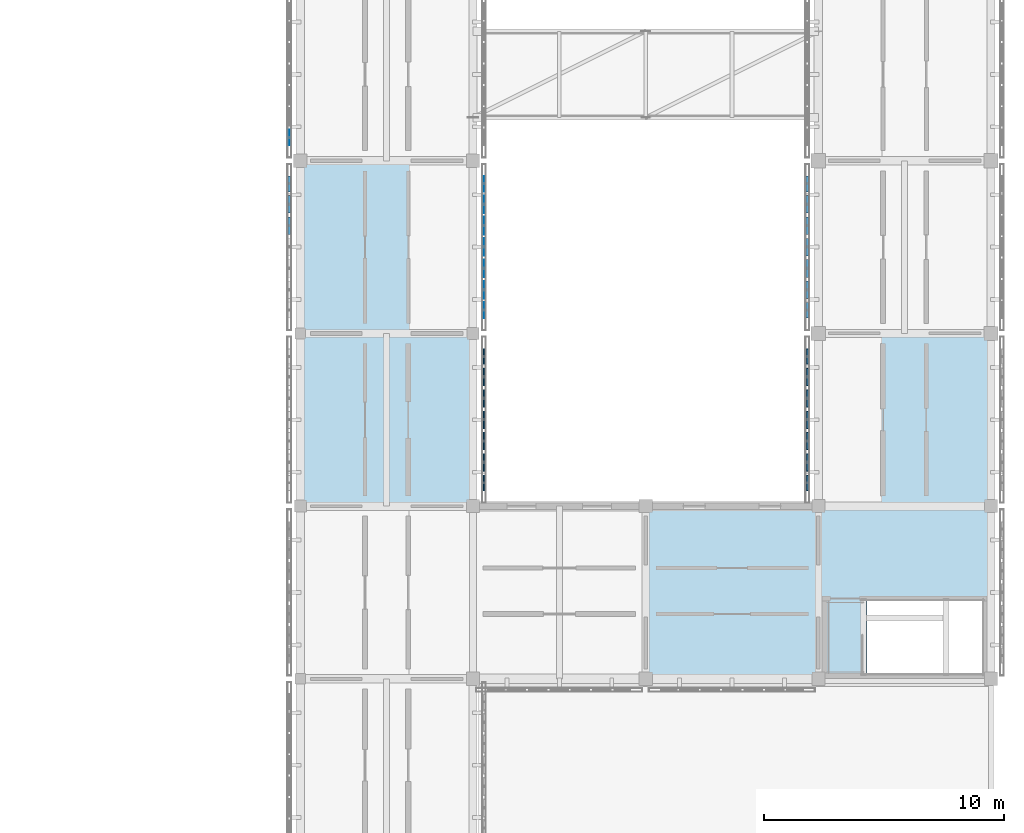
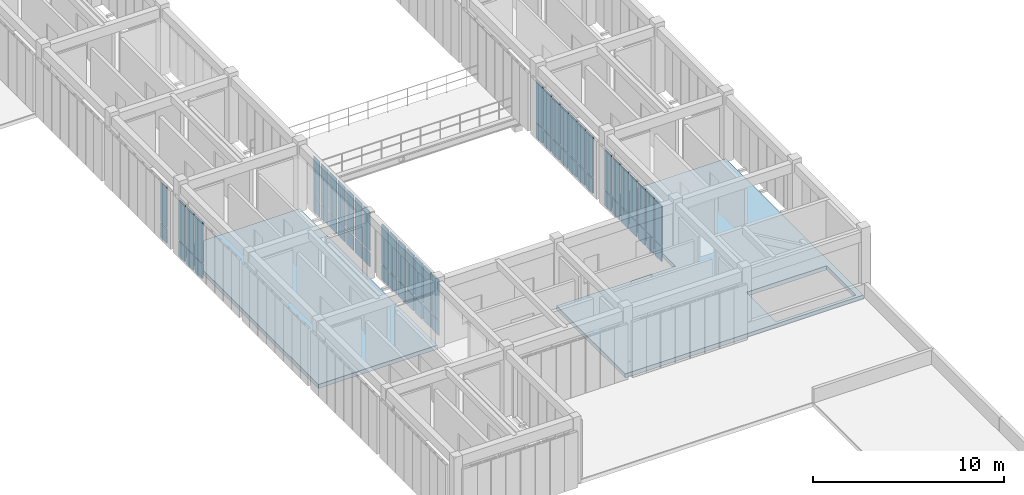
# One storey, part 57 of 91: 64 plates, 2 slabs, 6 elements without a shape of their own.
"""IFC4 building model written with IfcOpenShell, lengths in metres."""

from ifc_helpers import new_model, si_unit, direction, frame, origin, origin_2d, place, context, subcontext, project, spatial, polyline, rectangle, outline, extrude, material, layer, layer_set, type_object, element, aggregate, save


model = new_model("IFC4")

# Units and contexts
model_context = context("Model", 3, precision=1e-05, world=origin(), true_north=direction((0.0, 1.0)))
body_context = subcontext(model_context, "Body", "Model", "MODEL_VIEW")
ifc_project = project(units=[si_unit("LENGTHUNIT", "METRE"), si_unit("AREAUNIT", "SQUARE_METRE"), si_unit("VOLUMEUNIT", "CUBIC_METRE"), si_unit("PLANEANGLEUNIT", "RADIAN"), si_unit("MASSUNIT", "GRAM", prefix="KILO")], contexts=[model_context])

# Site, building, storey
site_placement = place(None, origin())
site = spatial("IfcSite", under=ifc_project, at=site_placement, CompositionType="ELEMENT")
building_placement = place(site_placement, origin())
building = spatial("IfcBuilding", under=site, at=building_placement, Name="Aldebral Square Health Centre", CompositionType="ELEMENT")
storey_placement = place(building_placement, frame((0.0, 0.0, 9.0)))
storey = spatial("IfcBuildingStorey", under=building, at=storey_placement, Name="L02", CompositionType="ELEMENT", Elevation=9.0)

# Curtain wall, plates
ifc_material_1 = material(Name="Aluminium and low-E solar glass", Category="aluminium")
curtain_wall_type = type_object("IfcCurtainWallType", Name="CW-FIN-SYS", PredefinedType="USERDEFINED", material=ifc_material_1)
curtain_wall_1_placement = place(storey_placement, origin())
curtain_wall_1 = element("IfcCurtainWall", 1, at=curtain_wall_1_placement, inside=storey, type_object=curtain_wall_type, Name="L02 V5 finned curtain wall L02-V5-19-10-E", ObjectType="SOLAR_CURTAIN_WALL", PredefinedType="USERDEFINED")
ifc_material_2 = material(Name="Solar-control low-E double glass", Category="glass")
ifc_layer_1 = layer(ifc_material_2, 0.02001953125, Name="Solar-control low-E double glass", Category="glass")
ifc_layer_set_1 = layer_set([ifc_layer_1], Name="Solar-control low-E double glass")
plate_type_1 = type_object("IfcPlateType", Name="CWP-GLZ-1", PredefinedType="CURTAIN_PANEL", material=ifc_layer_set_1)
plate_1_placement = place(storey_placement, frame((144.4599609375, 72.9658203125, 0.074951171875), z_axis=(0.0, 0.0, 1.0), x_axis=(0.0, 1.0, 0.0)))
plate_1 = element("IfcPlate", 2, at=plate_1_placement, type_object=plate_type_1, Name="CW1 panel 1.1", PredefinedType="CURTAIN_PANEL", context=body_context, shape_type="SweptSolid", body=[
    extrude(rectangle(XDim=0.6513671875, YDim=0.02001953125, at=origin_2d()), origin(), (0.0, 0.0, 1.0), 0.9375),
])
plate_2_placement = place(storey_placement, frame((144.4599609375, 72.9658203125, 1.08740234375), z_axis=(0.0, 0.0, 1.0), x_axis=(0.0, 1.0, 0.0)))
plate_2 = element("IfcPlate", 3, at=plate_2_placement, type_object=plate_type_1, Name="CW1 panel 1.2", PredefinedType="CURTAIN_PANEL", context=body_context, shape_type="SweptSolid", body=[
    extrude(rectangle(XDim=0.6513671875, YDim=0.02001953125, at=origin_2d()), origin(), (0.0, 0.0, 1.0), 2.527587890625),
])
plate_3_placement = place(storey_placement, frame((144.4599609375, 73.817138671875, 0.074951171875), z_axis=(0.0, 0.0, 1.0), x_axis=(0.0, 1.0, 0.0)))
plate_3 = element("IfcPlate", 4, at=plate_3_placement, type_object=plate_type_1, Name="CW1 panel 2.1", PredefinedType="CURTAIN_PANEL", context=body_context, shape_type="SweptSolid", body=[
    extrude(rectangle(XDim=0.7314453125, YDim=0.02001953125, at=origin_2d()), origin(), (0.0, 0.0, 1.0), 0.9375),
])
plate_4_placement = place(storey_placement, frame((144.4599609375, 73.817138671875, 1.08740234375), z_axis=(0.0, 0.0, 1.0), x_axis=(0.0, 1.0, 0.0)))
plate_4 = element("IfcPlate", 5, at=plate_4_placement, type_object=plate_type_1, Name="CW1 panel 2.2", PredefinedType="CURTAIN_PANEL", context=body_context, shape_type="SweptSolid", body=[
    extrude(rectangle(XDim=0.7314453125, YDim=0.02001953125, at=origin_2d()), origin(), (0.0, 0.0, 1.0), 2.527587890625),
])
plate_5_placement = place(storey_placement, frame((144.4599609375, 74.70849609375, 0.074951171875), z_axis=(0.0, 0.0, 1.0), x_axis=(0.0, 1.0, 0.0)))
plate_5 = element("IfcPlate", 6, at=plate_5_placement, type_object=plate_type_1, Name="CW1 panel 3.1", PredefinedType="CURTAIN_PANEL", context=body_context, shape_type="SweptSolid", body=[
    extrude(rectangle(XDim=0.7314453125, YDim=0.02001953125, at=origin_2d()), origin(), (0.0, 0.0, 1.0), 0.9375),
])
plate_6_placement = place(storey_placement, frame((144.4599609375, 74.70849609375, 1.08740234375), z_axis=(0.0, 0.0, 1.0), x_axis=(0.0, 1.0, 0.0)))
plate_6 = element("IfcPlate", 7, at=plate_6_placement, type_object=plate_type_1, Name="CW1 panel 3.2", PredefinedType="CURTAIN_PANEL", context=body_context, shape_type="SweptSolid", body=[
    extrude(rectangle(XDim=0.7314453125, YDim=0.02001953125, at=origin_2d()), origin(), (0.0, 0.0, 1.0), 2.527587890625),
])
plate_7_placement = place(storey_placement, frame((144.4599609375, 75.60009765625, 0.074951171875), z_axis=(0.0, 0.0, 1.0), x_axis=(0.0, 1.0, 0.0)))
plate_7 = element("IfcPlate", 8, at=plate_7_placement, type_object=plate_type_1, Name="CW1 panel 4.1", PredefinedType="CURTAIN_PANEL", context=body_context, shape_type="SweptSolid", body=[
    extrude(rectangle(XDim=0.7314453125, YDim=0.02001953125, at=origin_2d()), origin(), (0.0, 0.0, 1.0), 0.9375),
])
plate_8_placement = place(storey_placement, frame((144.4599609375, 75.60009765625, 1.08740234375), z_axis=(0.0, 0.0, 1.0), x_axis=(0.0, 1.0, 0.0)))
plate_8 = element("IfcPlate", 9, at=plate_8_placement, type_object=plate_type_1, Name="CW1 panel 4.2", PredefinedType="CURTAIN_PANEL", context=body_context, shape_type="SweptSolid", body=[
    extrude(rectangle(XDim=0.7314453125, YDim=0.02001953125, at=origin_2d()), origin(), (0.0, 0.0, 1.0), 2.527587890625),
])
plate_9_placement = place(storey_placement, frame((144.4599609375, 76.491455078125, 0.074951171875), z_axis=(0.0, 0.0, 1.0), x_axis=(0.0, 1.0, 0.0)))
plate_9 = element("IfcPlate", 10, at=plate_9_placement, type_object=plate_type_1, Name="CW1 panel 5.1", PredefinedType="CURTAIN_PANEL", context=body_context, shape_type="SweptSolid", body=[
    extrude(rectangle(XDim=0.7314453125, YDim=0.02001953125, at=origin_2d()), origin(), (0.0, 0.0, 1.0), 0.9375),
])
plate_10_placement = place(storey_placement, frame((144.4599609375, 76.491455078125, 1.08740234375), z_axis=(0.0, 0.0, 1.0), x_axis=(0.0, 1.0, 0.0)))
plate_10 = element("IfcPlate", 11, at=plate_10_placement, type_object=plate_type_1, Name="CW1 panel 5.2", PredefinedType="CURTAIN_PANEL", context=body_context, shape_type="SweptSolid", body=[
    extrude(rectangle(XDim=0.7314453125, YDim=0.02001953125, at=origin_2d()), origin(), (0.0, 0.0, 1.0), 2.527587890625),
])
plate_11_placement = place(storey_placement, frame((144.4599609375, 77.3828125, 0.074951171875), z_axis=(0.0, 0.0, 1.0), x_axis=(0.0, 1.0, 0.0)))
plate_11 = element("IfcPlate", 12, at=plate_11_placement, type_object=plate_type_1, Name="CW1 panel 6.1", PredefinedType="CURTAIN_PANEL", context=body_context, shape_type="SweptSolid", body=[
    extrude(rectangle(XDim=0.7314453125, YDim=0.02001953125, at=origin_2d()), origin(), (0.0, 0.0, 1.0), 0.9375),
])
plate_12_placement = place(storey_placement, frame((144.4599609375, 77.3828125, 1.08740234375), z_axis=(0.0, 0.0, 1.0), x_axis=(0.0, 1.0, 0.0)))
plate_12 = element("IfcPlate", 13, at=plate_12_placement, type_object=plate_type_1, Name="CW1 panel 6.2", PredefinedType="CURTAIN_PANEL", context=body_context, shape_type="SweptSolid", body=[
    extrude(rectangle(XDim=0.7314453125, YDim=0.02001953125, at=origin_2d()), origin(), (0.0, 0.0, 1.0), 2.527587890625),
])
plate_13_placement = place(storey_placement, frame((144.4599609375, 78.234375, 0.074951171875), z_axis=(0.0, 0.0, 1.0), x_axis=(0.0, 1.0, 0.0)))
plate_13 = element("IfcPlate", 14, at=plate_13_placement, type_object=plate_type_1, Name="CW1 panel 7.1", PredefinedType="CURTAIN_PANEL", context=body_context, shape_type="SweptSolid", body=[
    extrude(rectangle(XDim=0.6513671875, YDim=0.02001953125, at=origin_2d()), origin(), (0.0, 0.0, 1.0), 0.9375),
])
plate_14_placement = place(storey_placement, frame((144.4599609375, 78.234375, 1.08740234375), z_axis=(0.0, 0.0, 1.0), x_axis=(0.0, 1.0, 0.0)))
plate_14 = element("IfcPlate", 15, at=plate_14_placement, type_object=plate_type_1, Name="CW1 panel 7.2", PredefinedType="CURTAIN_PANEL", context=body_context, shape_type="SweptSolid", body=[
    extrude(rectangle(XDim=0.6513671875, YDim=0.02001953125, at=origin_2d()), origin(), (0.0, 0.0, 1.0), 2.527587890625),
])
aggregate(curtain_wall_1, [plate_1, plate_2, plate_3, plate_4, plate_5, plate_6, plate_7, plate_8, plate_9, plate_10, plate_11, plate_12, plate_13, plate_14])

curtain_wall_2_placement = place(storey_placement, origin())
curtain_wall_2 = element("IfcCurtainWall", 16, at=curtain_wall_2_placement, inside=storey, type_object=curtain_wall_type, Name="L02 V5 finned curtain wall L02-V5-19-11-W", ObjectType="SOLAR_CURTAIN_WALL", PredefinedType="USERDEFINED")
ifc_layer_2 = layer(ifc_material_2, 0.030029296875, Name="Solar-control low-E double glass", Category="glass")
ifc_layer_set_2 = layer_set([ifc_layer_2], Name="Solar-control low-E double glass")
plate_type_2 = type_object("IfcPlateType", Name="CWP-GLZ-2", PredefinedType="CURTAIN_PANEL", material=ifc_layer_set_2)
plate_15_placement = place(storey_placement, frame((136.340087890625, 80.165771484375, 0.074951171875), z_axis=(0.0, 0.0, 1.0), x_axis=(0.0, -1.0, 0.0)))
plate_15 = element("IfcPlate", 17, at=plate_15_placement, type_object=plate_type_2, Name="CW1 panel 7.1", PredefinedType="CURTAIN_PANEL", context=body_context, shape_type="SweptSolid", body=[
    extrude(rectangle(XDim=0.6513671875, YDim=0.030029296875, at=origin_2d()), origin(), (0.0, 0.0, 1.0), 0.9375),
])
plate_16_placement = place(storey_placement, frame((136.340087890625, 80.165771484375, 1.08740234375), z_axis=(0.0, 0.0, 1.0), x_axis=(0.0, -1.0, 0.0)))
plate_16 = element("IfcPlate", 18, at=plate_16_placement, type_object=plate_type_2, Name="CW1 panel 7.2", PredefinedType="CURTAIN_PANEL", context=body_context, shape_type="SweptSolid", body=[
    extrude(rectangle(XDim=0.6513671875, YDim=0.030029296875, at=origin_2d()), origin(), (0.0, 0.0, 1.0), 2.527587890625),
])
aggregate(curtain_wall_2, [plate_15, plate_16])

curtain_wall_3_placement = place(storey_placement, origin())
curtain_wall_3 = element("IfcCurtainWall", 19, at=curtain_wall_3_placement, inside=storey, type_object=curtain_wall_type, Name="L02 V5 finned curtain wall L02-V5-22-09-W", ObjectType="SOLAR_CURTAIN_WALL", PredefinedType="USERDEFINED")
ifc_layer_3 = layer(ifc_material_2, 0.070068359375, Name="Solar-control low-E double glass", Category="glass")
ifc_layer_set_3 = layer_set([ifc_layer_3], Name="Solar-control low-E double glass")
plate_type_3 = type_object("IfcPlateType", Name="CWP-GLZ-6", PredefinedType="CURTAIN_PANEL", material=ifc_layer_set_3)
plate_17_placement = place(storey_placement, frame((157.93994140625, 71.0341796875, 0.074951171875), z_axis=(0.0, 0.0, 1.0), x_axis=(0.0, -1.0, 0.0)))
plate_17 = element("IfcPlate", 20, at=plate_17_placement, type_object=plate_type_3, Name="CW1 panel 1.1", PredefinedType="CURTAIN_PANEL", context=body_context, shape_type="SweptSolid", body=[
    extrude(rectangle(XDim=0.6513671875, YDim=0.070068359375, at=origin_2d()), origin(), (0.0, 0.0, 1.0), 0.9375),
])
plate_18_placement = place(storey_placement, frame((157.93994140625, 71.0341796875, 1.08740234375), z_axis=(0.0, 0.0, 1.0), x_axis=(0.0, -1.0, 0.0)))
plate_18 = element("IfcPlate", 21, at=plate_18_placement, type_object=plate_type_3, Name="CW1 panel 1.2", PredefinedType="CURTAIN_PANEL", context=body_context, shape_type="SweptSolid", body=[
    extrude(rectangle(XDim=0.6513671875, YDim=0.070068359375, at=origin_2d()), origin(), (0.0, 0.0, 1.0), 2.527587890625),
])
plate_19_placement = place(storey_placement, frame((157.93994140625, 70.182861328125, 0.074951171875), z_axis=(0.0, 0.0, 1.0), x_axis=(0.0, -1.0, 0.0)))
plate_19 = element("IfcPlate", 22, at=plate_19_placement, type_object=plate_type_3, Name="CW1 panel 2.1", PredefinedType="CURTAIN_PANEL", context=body_context, shape_type="SweptSolid", body=[
    extrude(rectangle(XDim=0.7314453125, YDim=0.070068359375, at=origin_2d()), origin(), (0.0, 0.0, 1.0), 0.9375),
])
plate_20_placement = place(storey_placement, frame((157.93994140625, 70.182861328125, 1.08740234375), z_axis=(0.0, 0.0, 1.0), x_axis=(0.0, -1.0, 0.0)))
plate_20 = element("IfcPlate", 23, at=plate_20_placement, type_object=plate_type_3, Name="CW1 panel 2.2", PredefinedType="CURTAIN_PANEL", context=body_context, shape_type="SweptSolid", body=[
    extrude(rectangle(XDim=0.7314453125, YDim=0.070068359375, at=origin_2d()), origin(), (0.0, 0.0, 1.0), 2.527587890625),
])
plate_21_placement = place(storey_placement, frame((157.93994140625, 69.29150390625, 0.074951171875), z_axis=(0.0, 0.0, 1.0), x_axis=(0.0, -1.0, 0.0)))
plate_21 = element("IfcPlate", 24, at=plate_21_placement, type_object=plate_type_3, Name="CW1 panel 3.1", PredefinedType="CURTAIN_PANEL", context=body_context, shape_type="SweptSolid", body=[
    extrude(rectangle(XDim=0.7314453125, YDim=0.070068359375, at=origin_2d()), origin(), (0.0, 0.0, 1.0), 0.9375),
])
plate_22_placement = place(storey_placement, frame((157.93994140625, 69.29150390625, 1.08740234375), z_axis=(0.0, 0.0, 1.0), x_axis=(0.0, -1.0, 0.0)))
plate_22 = element("IfcPlate", 25, at=plate_22_placement, type_object=plate_type_3, Name="CW1 panel 3.2", PredefinedType="CURTAIN_PANEL", context=body_context, shape_type="SweptSolid", body=[
    extrude(rectangle(XDim=0.7314453125, YDim=0.070068359375, at=origin_2d()), origin(), (0.0, 0.0, 1.0), 2.527587890625),
])
plate_23_placement = place(storey_placement, frame((157.93994140625, 68.39990234375, 0.074951171875), z_axis=(0.0, 0.0, 1.0), x_axis=(0.0, -1.0, 0.0)))
plate_23 = element("IfcPlate", 26, at=plate_23_placement, type_object=plate_type_3, Name="CW1 panel 4.1", PredefinedType="CURTAIN_PANEL", context=body_context, shape_type="SweptSolid", body=[
    extrude(rectangle(XDim=0.7314453125, YDim=0.070068359375, at=origin_2d()), origin(), (0.0, 0.0, 1.0), 0.9375),
])
plate_24_placement = place(storey_placement, frame((157.93994140625, 68.39990234375, 1.08740234375), z_axis=(0.0, 0.0, 1.0), x_axis=(0.0, -1.0, 0.0)))
plate_24 = element("IfcPlate", 27, at=plate_24_placement, type_object=plate_type_3, Name="CW1 panel 4.2", PredefinedType="CURTAIN_PANEL", context=body_context, shape_type="SweptSolid", body=[
    extrude(rectangle(XDim=0.7314453125, YDim=0.070068359375, at=origin_2d()), origin(), (0.0, 0.0, 1.0), 2.527587890625),
])
plate_25_placement = place(storey_placement, frame((157.93994140625, 67.508544921875, 0.074951171875), z_axis=(0.0, 0.0, 1.0), x_axis=(0.0, -1.0, 0.0)))
plate_25 = element("IfcPlate", 28, at=plate_25_placement, type_object=plate_type_3, Name="CW1 panel 5.1", PredefinedType="CURTAIN_PANEL", context=body_context, shape_type="SweptSolid", body=[
    extrude(rectangle(XDim=0.7314453125, YDim=0.070068359375, at=origin_2d()), origin(), (0.0, 0.0, 1.0), 0.9375),
])
plate_26_placement = place(storey_placement, frame((157.93994140625, 67.508544921875, 1.08740234375), z_axis=(0.0, 0.0, 1.0), x_axis=(0.0, -1.0, 0.0)))
plate_26 = element("IfcPlate", 29, at=plate_26_placement, type_object=plate_type_3, Name="CW1 panel 5.2", PredefinedType="CURTAIN_PANEL", context=body_context, shape_type="SweptSolid", body=[
    extrude(rectangle(XDim=0.7314453125, YDim=0.070068359375, at=origin_2d()), origin(), (0.0, 0.0, 1.0), 2.527587890625),
])
plate_27_placement = place(storey_placement, frame((157.93994140625, 66.6171875, 0.074951171875), z_axis=(0.0, 0.0, 1.0), x_axis=(0.0, -1.0, 0.0)))
plate_27 = element("IfcPlate", 30, at=plate_27_placement, type_object=plate_type_3, Name="CW1 panel 6.1", PredefinedType="CURTAIN_PANEL", context=body_context, shape_type="SweptSolid", body=[
    extrude(rectangle(XDim=0.7314453125, YDim=0.070068359375, at=origin_2d()), origin(), (0.0, 0.0, 1.0), 0.9375),
])
plate_28_placement = place(storey_placement, frame((157.93994140625, 66.6171875, 1.08740234375), z_axis=(0.0, 0.0, 1.0), x_axis=(0.0, -1.0, 0.0)))
plate_28 = element("IfcPlate", 31, at=plate_28_placement, type_object=plate_type_3, Name="CW1 panel 6.2", PredefinedType="CURTAIN_PANEL", context=body_context, shape_type="SweptSolid", body=[
    extrude(rectangle(XDim=0.7314453125, YDim=0.070068359375, at=origin_2d()), origin(), (0.0, 0.0, 1.0), 2.527587890625),
])
plate_29_placement = place(storey_placement, frame((157.93994140625, 65.765625, 0.074951171875), z_axis=(0.0, 0.0, 1.0), x_axis=(0.0, -1.0, 0.0)))
plate_29 = element("IfcPlate", 32, at=plate_29_placement, type_object=plate_type_3, Name="CW1 panel 7.1", PredefinedType="CURTAIN_PANEL", context=body_context, shape_type="SweptSolid", body=[
    extrude(rectangle(XDim=0.6513671875, YDim=0.070068359375, at=origin_2d()), origin(), (0.0, 0.0, 1.0), 0.9375),
])
plate_30_placement = place(storey_placement, frame((157.93994140625, 65.765625, 1.08740234375), z_axis=(0.0, 0.0, 1.0), x_axis=(0.0, -1.0, 0.0)))
plate_30 = element("IfcPlate", 33, at=plate_30_placement, type_object=plate_type_3, Name="CW1 panel 7.2", PredefinedType="CURTAIN_PANEL", context=body_context, shape_type="SweptSolid", body=[
    extrude(rectangle(XDim=0.6513671875, YDim=0.070068359375, at=origin_2d()), origin(), (0.0, 0.0, 1.0), 2.527587890625),
])
aggregate(curtain_wall_3, [plate_17, plate_18, plate_19, plate_20, plate_21, plate_22, plate_23, plate_24, plate_25, plate_26, plate_27, plate_28, plate_29, plate_30])

curtain_wall_4_placement = place(storey_placement, origin())
curtain_wall_4 = element("IfcCurtainWall", 34, at=curtain_wall_4_placement, inside=storey, type_object=curtain_wall_type, Name="L02 V5 finned curtain wall L02-V5-19-09-E", ObjectType="SOLAR_CURTAIN_WALL", PredefinedType="USERDEFINED")
ifc_layer_4 = layer(ifc_material_2, 0.080078125, Name="Solar-control low-E double glass", Category="glass")
ifc_layer_set_4 = layer_set([ifc_layer_4], Name="Solar-control low-E double glass")
plate_type_4 = type_object("IfcPlateType", Name="CWP-GLZ-7", PredefinedType="CURTAIN_PANEL", material=ifc_layer_set_4)
plate_31_placement = place(storey_placement, frame((144.4599609375, 65.765625, 0.074951171875), z_axis=(0.0, 0.0, 1.0), x_axis=(0.0, 1.0, 0.0)))
plate_31 = element("IfcPlate", 35, at=plate_31_placement, type_object=plate_type_4, Name="CW1 panel 1.1", PredefinedType="CURTAIN_PANEL", context=body_context, shape_type="SweptSolid", body=[
    extrude(rectangle(XDim=0.6513671875, YDim=0.080078125, at=origin_2d()), origin(), (0.0, 0.0, 1.0), 0.9375),
])
plate_32_placement = place(storey_placement, frame((144.4599609375, 65.765625, 1.08740234375), z_axis=(0.0, 0.0, 1.0), x_axis=(0.0, 1.0, 0.0)))
plate_32 = element("IfcPlate", 36, at=plate_32_placement, type_object=plate_type_4, Name="CW1 panel 1.2", PredefinedType="CURTAIN_PANEL", context=body_context, shape_type="SweptSolid", body=[
    extrude(rectangle(XDim=0.6513671875, YDim=0.080078125, at=origin_2d()), origin(), (0.0, 0.0, 1.0), 2.527587890625),
])
plate_33_placement = place(storey_placement, frame((144.4599609375, 66.6171875, 0.074951171875), z_axis=(0.0, 0.0, 1.0), x_axis=(0.0, 1.0, 0.0)))
plate_33 = element("IfcPlate", 37, at=plate_33_placement, type_object=plate_type_4, Name="CW1 panel 2.1", PredefinedType="CURTAIN_PANEL", context=body_context, shape_type="SweptSolid", body=[
    extrude(rectangle(XDim=0.7314453125, YDim=0.080078125, at=origin_2d()), origin(), (0.0, 0.0, 1.0), 0.9375),
])
plate_34_placement = place(storey_placement, frame((144.4599609375, 66.6171875, 1.08740234375), z_axis=(0.0, 0.0, 1.0), x_axis=(0.0, 1.0, 0.0)))
plate_34 = element("IfcPlate", 38, at=plate_34_placement, type_object=plate_type_4, Name="CW1 panel 2.2", PredefinedType="CURTAIN_PANEL", context=body_context, shape_type="SweptSolid", body=[
    extrude(rectangle(XDim=0.7314453125, YDim=0.080078125, at=origin_2d()), origin(), (0.0, 0.0, 1.0), 2.527587890625),
])
plate_35_placement = place(storey_placement, frame((144.4599609375, 67.508544921875, 0.074951171875), z_axis=(0.0, 0.0, 1.0), x_axis=(0.0, 1.0, 0.0)))
plate_35 = element("IfcPlate", 39, at=plate_35_placement, type_object=plate_type_4, Name="CW1 panel 3.1", PredefinedType="CURTAIN_PANEL", context=body_context, shape_type="SweptSolid", body=[
    extrude(rectangle(XDim=0.7314453125, YDim=0.080078125, at=origin_2d()), origin(), (0.0, 0.0, 1.0), 0.9375),
])
plate_36_placement = place(storey_placement, frame((144.4599609375, 67.508544921875, 1.08740234375), z_axis=(0.0, 0.0, 1.0), x_axis=(0.0, 1.0, 0.0)))
plate_36 = element("IfcPlate", 40, at=plate_36_placement, type_object=plate_type_4, Name="CW1 panel 3.2", PredefinedType="CURTAIN_PANEL", context=body_context, shape_type="SweptSolid", body=[
    extrude(rectangle(XDim=0.7314453125, YDim=0.080078125, at=origin_2d()), origin(), (0.0, 0.0, 1.0), 2.527587890625),
])
plate_37_placement = place(storey_placement, frame((144.4599609375, 68.39990234375, 0.074951171875), z_axis=(0.0, 0.0, 1.0), x_axis=(0.0, 1.0, 0.0)))
plate_37 = element("IfcPlate", 41, at=plate_37_placement, type_object=plate_type_4, Name="CW1 panel 4.1", PredefinedType="CURTAIN_PANEL", context=body_context, shape_type="SweptSolid", body=[
    extrude(rectangle(XDim=0.7314453125, YDim=0.080078125, at=origin_2d()), origin(), (0.0, 0.0, 1.0), 0.9375),
])
plate_38_placement = place(storey_placement, frame((144.4599609375, 68.39990234375, 1.08740234375), z_axis=(0.0, 0.0, 1.0), x_axis=(0.0, 1.0, 0.0)))
plate_38 = element("IfcPlate", 42, at=plate_38_placement, type_object=plate_type_4, Name="CW1 panel 4.2", PredefinedType="CURTAIN_PANEL", context=body_context, shape_type="SweptSolid", body=[
    extrude(rectangle(XDim=0.7314453125, YDim=0.080078125, at=origin_2d()), origin(), (0.0, 0.0, 1.0), 2.527587890625),
])
plate_39_placement = place(storey_placement, frame((144.4599609375, 69.29150390625, 0.074951171875), z_axis=(0.0, 0.0, 1.0), x_axis=(0.0, 1.0, 0.0)))
plate_39 = element("IfcPlate", 43, at=plate_39_placement, type_object=plate_type_4, Name="CW1 panel 5.1", PredefinedType="CURTAIN_PANEL", context=body_context, shape_type="SweptSolid", body=[
    extrude(rectangle(XDim=0.7314453125, YDim=0.080078125, at=origin_2d()), origin(), (0.0, 0.0, 1.0), 0.9375),
])
plate_40_placement = place(storey_placement, frame((144.4599609375, 69.29150390625, 1.08740234375), z_axis=(0.0, 0.0, 1.0), x_axis=(0.0, 1.0, 0.0)))
plate_40 = element("IfcPlate", 44, at=plate_40_placement, type_object=plate_type_4, Name="CW1 panel 5.2", PredefinedType="CURTAIN_PANEL", context=body_context, shape_type="SweptSolid", body=[
    extrude(rectangle(XDim=0.7314453125, YDim=0.080078125, at=origin_2d()), origin(), (0.0, 0.0, 1.0), 2.527587890625),
])
plate_41_placement = place(storey_placement, frame((144.4599609375, 70.182861328125, 0.074951171875), z_axis=(0.0, 0.0, 1.0), x_axis=(0.0, 1.0, 0.0)))
plate_41 = element("IfcPlate", 45, at=plate_41_placement, type_object=plate_type_4, Name="CW1 panel 6.1", PredefinedType="CURTAIN_PANEL", context=body_context, shape_type="SweptSolid", body=[
    extrude(rectangle(XDim=0.7314453125, YDim=0.080078125, at=origin_2d()), origin(), (0.0, 0.0, 1.0), 0.9375),
])
plate_42_placement = place(storey_placement, frame((144.4599609375, 70.182861328125, 1.08740234375), z_axis=(0.0, 0.0, 1.0), x_axis=(0.0, 1.0, 0.0)))
plate_42 = element("IfcPlate", 46, at=plate_42_placement, type_object=plate_type_4, Name="CW1 panel 6.2", PredefinedType="CURTAIN_PANEL", context=body_context, shape_type="SweptSolid", body=[
    extrude(rectangle(XDim=0.7314453125, YDim=0.080078125, at=origin_2d()), origin(), (0.0, 0.0, 1.0), 2.527587890625),
])
plate_43_placement = place(storey_placement, frame((144.4599609375, 71.0341796875, 0.074951171875), z_axis=(0.0, 0.0, 1.0), x_axis=(0.0, 1.0, 0.0)))
plate_43 = element("IfcPlate", 47, at=plate_43_placement, type_object=plate_type_4, Name="CW1 panel 7.1", PredefinedType="CURTAIN_PANEL", context=body_context, shape_type="SweptSolid", body=[
    extrude(rectangle(XDim=0.6513671875, YDim=0.080078125, at=origin_2d()), origin(), (0.0, 0.0, 1.0), 0.9375),
])
plate_44_placement = place(storey_placement, frame((144.4599609375, 71.0341796875, 1.08740234375), z_axis=(0.0, 0.0, 1.0), x_axis=(0.0, 1.0, 0.0)))
plate_44 = element("IfcPlate", 48, at=plate_44_placement, type_object=plate_type_4, Name="CW1 panel 7.2", PredefinedType="CURTAIN_PANEL", context=body_context, shape_type="SweptSolid", body=[
    extrude(rectangle(XDim=0.6513671875, YDim=0.080078125, at=origin_2d()), origin(), (0.0, 0.0, 1.0), 2.527587890625),
])
aggregate(curtain_wall_4, [plate_31, plate_32, plate_33, plate_34, plate_35, plate_36, plate_37, plate_38, plate_39, plate_40, plate_41, plate_42, plate_43, plate_44])

curtain_wall_5_placement = place(storey_placement, origin())
curtain_wall_5 = element("IfcCurtainWall", 49, at=curtain_wall_5_placement, inside=storey, type_object=curtain_wall_type, Name="L02 V5 finned curtain wall L02-V5-19-10-W", ObjectType="SOLAR_CURTAIN_WALL", PredefinedType="USERDEFINED")
ifc_layer_5 = layer(ifc_material_2, 0.090087890625, Name="Solar-control low-E double glass", Category="glass")
ifc_layer_set_5 = layer_set([ifc_layer_5], Name="Solar-control low-E double glass")
plate_type_5 = type_object("IfcPlateType", Name="CWP-GLZ-8", PredefinedType="CURTAIN_PANEL", material=ifc_layer_set_5)
plate_45_placement = place(storey_placement, frame((136.340087890625, 78.234375, 0.074951171875), z_axis=(0.0, 0.0, 1.0), x_axis=(0.0, -1.0, 0.0)))
plate_45 = element("IfcPlate", 50, at=plate_45_placement, type_object=plate_type_5, Name="CW1 panel 1.1", PredefinedType="CURTAIN_PANEL", context=body_context, shape_type="SweptSolid", body=[
    extrude(rectangle(XDim=0.6513671875, YDim=0.090087890625, at=origin_2d()), origin(), (0.0, 0.0, 1.0), 0.9375),
])
plate_46_placement = place(storey_placement, frame((136.340087890625, 78.234375, 1.08740234375), z_axis=(0.0, 0.0, 1.0), x_axis=(0.0, -1.0, 0.0)))
plate_46 = element("IfcPlate", 51, at=plate_46_placement, type_object=plate_type_5, Name="CW1 panel 1.2", PredefinedType="CURTAIN_PANEL", context=body_context, shape_type="SweptSolid", body=[
    extrude(rectangle(XDim=0.6513671875, YDim=0.090087890625, at=origin_2d()), origin(), (0.0, 0.0, 1.0), 2.527587890625),
])
plate_47_placement = place(storey_placement, frame((136.340087890625, 77.3828125, 0.074951171875), z_axis=(0.0, 0.0, 1.0), x_axis=(0.0, -1.0, 0.0)))
plate_47 = element("IfcPlate", 52, at=plate_47_placement, type_object=plate_type_5, Name="CW1 panel 2.1", PredefinedType="CURTAIN_PANEL", context=body_context, shape_type="SweptSolid", body=[
    extrude(rectangle(XDim=0.7314453125, YDim=0.090087890625, at=origin_2d()), origin(), (0.0, 0.0, 1.0), 0.9375),
])
plate_48_placement = place(storey_placement, frame((136.340087890625, 77.3828125, 1.08740234375), z_axis=(0.0, 0.0, 1.0), x_axis=(0.0, -1.0, 0.0)))
plate_48 = element("IfcPlate", 53, at=plate_48_placement, type_object=plate_type_5, Name="CW1 panel 2.2", PredefinedType="CURTAIN_PANEL", context=body_context, shape_type="SweptSolid", body=[
    extrude(rectangle(XDim=0.7314453125, YDim=0.090087890625, at=origin_2d()), origin(), (0.0, 0.0, 1.0), 2.527587890625),
])
plate_49_placement = place(storey_placement, frame((136.340087890625, 76.491455078125, 0.074951171875), z_axis=(0.0, 0.0, 1.0), x_axis=(0.0, -1.0, 0.0)))
plate_49 = element("IfcPlate", 54, at=plate_49_placement, type_object=plate_type_5, Name="CW1 panel 3.1", PredefinedType="CURTAIN_PANEL", context=body_context, shape_type="SweptSolid", body=[
    extrude(rectangle(XDim=0.7314453125, YDim=0.090087890625, at=origin_2d()), origin(), (0.0, 0.0, 1.0), 0.9375),
])
plate_50_placement = place(storey_placement, frame((136.340087890625, 76.491455078125, 1.08740234375), z_axis=(0.0, 0.0, 1.0), x_axis=(0.0, -1.0, 0.0)))
plate_50 = element("IfcPlate", 55, at=plate_50_placement, type_object=plate_type_5, Name="CW1 panel 3.2", PredefinedType="CURTAIN_PANEL", context=body_context, shape_type="SweptSolid", body=[
    extrude(rectangle(XDim=0.7314453125, YDim=0.090087890625, at=origin_2d()), origin(), (0.0, 0.0, 1.0), 2.527587890625),
])
aggregate(curtain_wall_5, [plate_45, plate_46, plate_47, plate_48, plate_49, plate_50])

curtain_wall_6_placement = place(storey_placement, origin())
curtain_wall_6 = element("IfcCurtainWall", 56, at=curtain_wall_6_placement, inside=storey, type_object=curtain_wall_type, Name="L02 V5 finned curtain wall L02-V5-22-10-W", ObjectType="SOLAR_CURTAIN_WALL", PredefinedType="USERDEFINED")
plate_51_placement = place(storey_placement, frame((157.93994140625, 78.234375, 0.074951171875), z_axis=(0.0, 0.0, 1.0), x_axis=(0.0, -1.0, 0.0)))
plate_51 = element("IfcPlate", 57, at=plate_51_placement, type_object=plate_type_5, Name="CW1 panel 1.1", PredefinedType="CURTAIN_PANEL", context=body_context, shape_type="SweptSolid", body=[
    extrude(rectangle(XDim=0.6513671875, YDim=0.090087890625, at=origin_2d()), origin(), (0.0, 0.0, 1.0), 0.9375),
])
plate_52_placement = place(storey_placement, frame((157.93994140625, 78.234375, 1.08740234375), z_axis=(0.0, 0.0, 1.0), x_axis=(0.0, -1.0, 0.0)))
plate_52 = element("IfcPlate", 58, at=plate_52_placement, type_object=plate_type_5, Name="CW1 panel 1.2", PredefinedType="CURTAIN_PANEL", context=body_context, shape_type="SweptSolid", body=[
    extrude(rectangle(XDim=0.6513671875, YDim=0.090087890625, at=origin_2d()), origin(), (0.0, 0.0, 1.0), 2.527587890625),
])
plate_53_placement = place(storey_placement, frame((157.93994140625, 77.3828125, 0.074951171875), z_axis=(0.0, 0.0, 1.0), x_axis=(0.0, -1.0, 0.0)))
plate_53 = element("IfcPlate", 59, at=plate_53_placement, type_object=plate_type_5, Name="CW1 panel 2.1", PredefinedType="CURTAIN_PANEL", context=body_context, shape_type="SweptSolid", body=[
    extrude(rectangle(XDim=0.7314453125, YDim=0.090087890625, at=origin_2d()), origin(), (0.0, 0.0, 1.0), 0.9375),
])
plate_54_placement = place(storey_placement, frame((157.93994140625, 77.3828125, 1.08740234375), z_axis=(0.0, 0.0, 1.0), x_axis=(0.0, -1.0, 0.0)))
plate_54 = element("IfcPlate", 60, at=plate_54_placement, type_object=plate_type_5, Name="CW1 panel 2.2", PredefinedType="CURTAIN_PANEL", context=body_context, shape_type="SweptSolid", body=[
    extrude(rectangle(XDim=0.7314453125, YDim=0.090087890625, at=origin_2d()), origin(), (0.0, 0.0, 1.0), 2.527587890625),
])
plate_55_placement = place(storey_placement, frame((157.93994140625, 76.491455078125, 0.074951171875), z_axis=(0.0, 0.0, 1.0), x_axis=(0.0, -1.0, 0.0)))
plate_55 = element("IfcPlate", 61, at=plate_55_placement, type_object=plate_type_5, Name="CW1 panel 3.1", PredefinedType="CURTAIN_PANEL", context=body_context, shape_type="SweptSolid", body=[
    extrude(rectangle(XDim=0.7314453125, YDim=0.090087890625, at=origin_2d()), origin(), (0.0, 0.0, 1.0), 0.9375),
])
plate_56_placement = place(storey_placement, frame((157.93994140625, 76.491455078125, 1.08740234375), z_axis=(0.0, 0.0, 1.0), x_axis=(0.0, -1.0, 0.0)))
plate_56 = element("IfcPlate", 62, at=plate_56_placement, type_object=plate_type_5, Name="CW1 panel 3.2", PredefinedType="CURTAIN_PANEL", context=body_context, shape_type="SweptSolid", body=[
    extrude(rectangle(XDim=0.7314453125, YDim=0.090087890625, at=origin_2d()), origin(), (0.0, 0.0, 1.0), 2.527587890625),
])
plate_57_placement = place(storey_placement, frame((157.93994140625, 75.60009765625, 0.074951171875), z_axis=(0.0, 0.0, 1.0), x_axis=(0.0, -1.0, 0.0)))
plate_57 = element("IfcPlate", 63, at=plate_57_placement, type_object=plate_type_5, Name="CW1 panel 4.1", PredefinedType="CURTAIN_PANEL", context=body_context, shape_type="SweptSolid", body=[
    extrude(rectangle(XDim=0.7314453125, YDim=0.090087890625, at=origin_2d()), origin(), (0.0, 0.0, 1.0), 0.9375),
])
plate_58_placement = place(storey_placement, frame((157.93994140625, 75.60009765625, 1.08740234375), z_axis=(0.0, 0.0, 1.0), x_axis=(0.0, -1.0, 0.0)))
plate_58 = element("IfcPlate", 64, at=plate_58_placement, type_object=plate_type_5, Name="CW1 panel 4.2", PredefinedType="CURTAIN_PANEL", context=body_context, shape_type="SweptSolid", body=[
    extrude(rectangle(XDim=0.7314453125, YDim=0.090087890625, at=origin_2d()), origin(), (0.0, 0.0, 1.0), 2.527587890625),
])
plate_59_placement = place(storey_placement, frame((157.93994140625, 74.70849609375, 0.074951171875), z_axis=(0.0, 0.0, 1.0), x_axis=(0.0, -1.0, 0.0)))
plate_59 = element("IfcPlate", 65, at=plate_59_placement, type_object=plate_type_5, Name="CW1 panel 5.1", PredefinedType="CURTAIN_PANEL", context=body_context, shape_type="SweptSolid", body=[
    extrude(rectangle(XDim=0.7314453125, YDim=0.090087890625, at=origin_2d()), origin(), (0.0, 0.0, 1.0), 0.9375),
])
plate_60_placement = place(storey_placement, frame((157.93994140625, 74.70849609375, 1.08740234375), z_axis=(0.0, 0.0, 1.0), x_axis=(0.0, -1.0, 0.0)))
plate_60 = element("IfcPlate", 66, at=plate_60_placement, type_object=plate_type_5, Name="CW1 panel 5.2", PredefinedType="CURTAIN_PANEL", context=body_context, shape_type="SweptSolid", body=[
    extrude(rectangle(XDim=0.7314453125, YDim=0.090087890625, at=origin_2d()), origin(), (0.0, 0.0, 1.0), 2.527587890625),
])
plate_61_placement = place(storey_placement, frame((157.93994140625, 73.817138671875, 0.074951171875), z_axis=(0.0, 0.0, 1.0), x_axis=(0.0, -1.0, 0.0)))
plate_61 = element("IfcPlate", 67, at=plate_61_placement, type_object=plate_type_5, Name="CW1 panel 6.1", PredefinedType="CURTAIN_PANEL", context=body_context, shape_type="SweptSolid", body=[
    extrude(rectangle(XDim=0.7314453125, YDim=0.090087890625, at=origin_2d()), origin(), (0.0, 0.0, 1.0), 0.9375),
])
plate_62_placement = place(storey_placement, frame((157.93994140625, 73.817138671875, 1.08740234375), z_axis=(0.0, 0.0, 1.0), x_axis=(0.0, -1.0, 0.0)))
plate_62 = element("IfcPlate", 68, at=plate_62_placement, type_object=plate_type_5, Name="CW1 panel 6.2", PredefinedType="CURTAIN_PANEL", context=body_context, shape_type="SweptSolid", body=[
    extrude(rectangle(XDim=0.7314453125, YDim=0.090087890625, at=origin_2d()), origin(), (0.0, 0.0, 1.0), 2.527587890625),
])
plate_63_placement = place(storey_placement, frame((157.93994140625, 72.9658203125, 0.074951171875), z_axis=(0.0, 0.0, 1.0), x_axis=(0.0, -1.0, 0.0)))
plate_63 = element("IfcPlate", 69, at=plate_63_placement, type_object=plate_type_5, Name="CW1 panel 7.1", PredefinedType="CURTAIN_PANEL", context=body_context, shape_type="SweptSolid", body=[
    extrude(rectangle(XDim=0.6513671875, YDim=0.090087890625, at=origin_2d()), origin(), (0.0, 0.0, 1.0), 0.9375),
])
plate_64_placement = place(storey_placement, frame((157.93994140625, 72.9658203125, 1.08740234375), z_axis=(0.0, 0.0, 1.0), x_axis=(0.0, -1.0, 0.0)))
plate_64 = element("IfcPlate", 70, at=plate_64_placement, type_object=plate_type_5, Name="CW1 panel 7.2", PredefinedType="CURTAIN_PANEL", context=body_context, shape_type="SweptSolid", body=[
    extrude(rectangle(XDim=0.6513671875, YDim=0.090087890625, at=origin_2d()), origin(), (0.0, 0.0, 1.0), 2.527587890625),
])
aggregate(curtain_wall_6, [plate_51, plate_52, plate_53, plate_54, plate_55, plate_56, plate_57, plate_58, plate_59, plate_60, plate_61, plate_62, plate_63, plate_64])

# Slabs
ifc_material_3 = material(Name="Concrete C35/45", Category="concrete")
ifc_layer_6 = layer(ifc_material_3, 0.260009765625, Name="Concrete C35/45", Category="concrete")
ifc_layer_set_6 = layer_set([ifc_layer_6], Name="Concrete C35/45")
slab_type = type_object("IfcSlabType", Name="SL-FLR-260", PredefinedType="FLOOR", material=ifc_layer_set_6)
slab_1_placement = place(storey_placement, frame((0.0, 0.0, -0.260009765625)))
element("IfcSlab", 71, at=slab_1_placement, inside=storey, type_object=slab_type, Name="L02 V5 floor slab 2", PredefinedType="FLOOR", context=body_context, shape_type="SweptSolid", body=[
    extrude(outline(polyline([(136.800048828125, 64.800048828125), (136.800048828125, 72.0), (136.800048828125, 79.199951171875), (144.0, 79.199951171875), (144.0, 72.0), (144.0, 64.800048828125), (136.800048828125, 64.800048828125)])), origin(), (0.0, 0.0, 1.0), 0.260009765625),
])
slab_2_placement = place(storey_placement, frame((0.0, 0.0, -0.260009765625)))
element("IfcSlab", 72, at=slab_2_placement, inside=storey, type_object=slab_type, Name="L02 V5 floor slab 6", PredefinedType="FLOOR", context=body_context, shape_type="SweptSolid", body=[
    extrude(outline(polyline([(151.199951171875, 64.800048828125), (158.39990234375, 64.800048828125), (158.39990234375, 72.0), (165.60009765625, 72.0), (165.60009765625, 64.800048828125), (165.60009765625, 57.60009765625), (158.39990234375, 57.60009765625), (151.199951171875, 57.60009765625), (151.199951171875, 64.800048828125)]), holes=[polyline([(165.260009765625, 60.8798828125), (160.419921875, 60.8798828125), (160.419921875, 57.800048828125), (165.260009765625, 57.800048828125), (165.260009765625, 60.8798828125)])]), origin(), (0.0, 0.0, 1.0), 0.260009765625),
])

save(model, "model.ifc")
